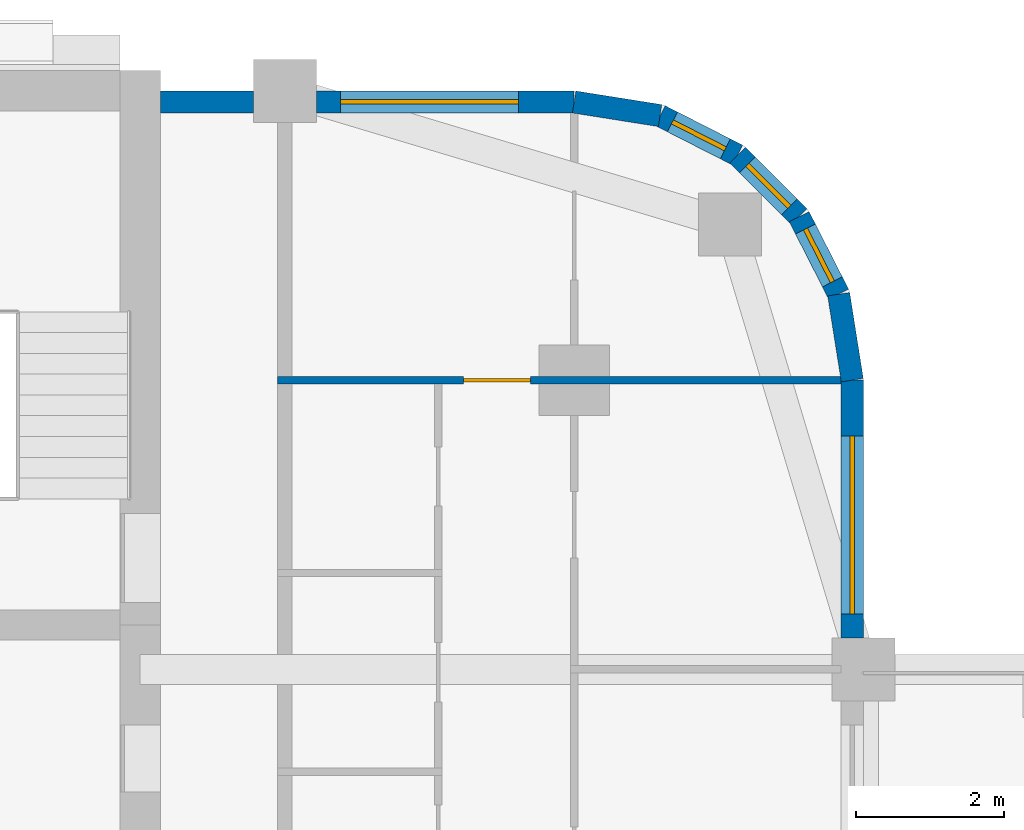
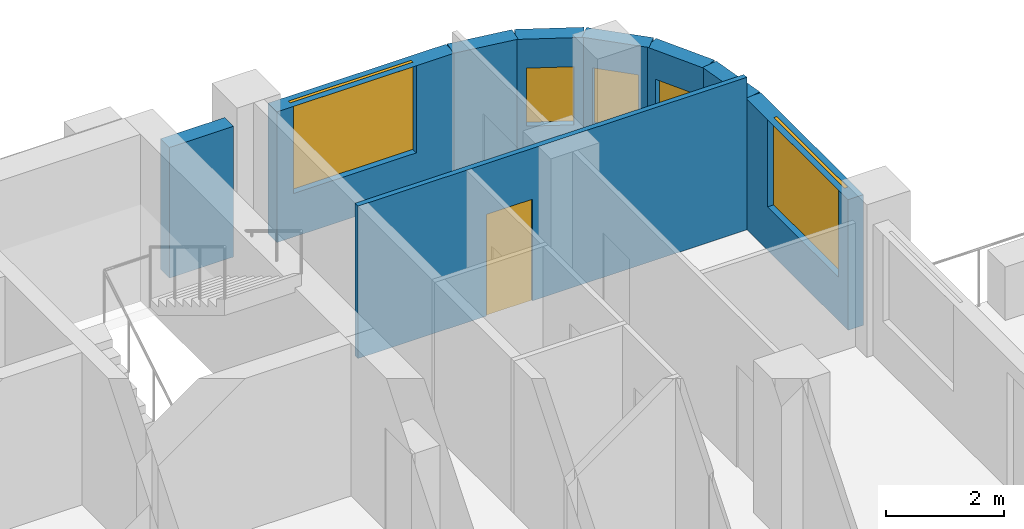
# One storey, part 9 of 13: 9 walls, 5 windows, 1 door, 6 openings.
"""IFC4 building model written with IfcOpenShell, lengths in metres."""

from ifc_helpers import new_model, si_unit, direction, frame, frame_2d, origin, place, context, subcontext, project, spatial, rectangle, extrude, material, layer, layer_set, type_object, element, fill, save


model = new_model("IFC4")

# Units and contexts
model_context = context("Model", 3, precision=1e-05, world=origin(), true_north=direction((0.0, 1.0)))
body_context = subcontext(model_context, "Body", "Model", "MODEL_VIEW")
ifc_project = project(units=[si_unit("LENGTHUNIT", "METRE"), si_unit("AREAUNIT", "SQUARE_METRE"), si_unit("VOLUMEUNIT", "CUBIC_METRE"), si_unit("PLANEANGLEUNIT", "RADIAN"), si_unit("MASSUNIT", "GRAM", prefix="KILO")], contexts=[model_context])

# Site, building, storey
site_placement = place(None, origin())
site = spatial("IfcSite", under=ifc_project, at=site_placement, CompositionType="ELEMENT")
building_placement = place(site_placement, origin())
building = spatial("IfcBuilding", under=site, at=building_placement, Name="Ludao Terraces", CompositionType="ELEMENT")
storey_placement = place(building_placement, frame((0.0, 0.0, 123.699951171875)))
storey = spatial("IfcBuildingStorey", under=building, at=storey_placement, Name="L33", CompositionType="ELEMENT", Elevation=123.699951171875)

# Wall, opening, window
ifc_material_1 = material(Name="Granite cladding", Category="masonry")
ifc_layer_1 = layer(ifc_material_1, 0.0400390625, Category="stone")
ifc_material_2 = material(Name="Mineral wool")
ifc_layer_2 = layer(ifc_material_2, 0.06005859375)
ifc_material_3 = material(Name="Concrete C40", Category="concrete")
ifc_layer_3 = layer(ifc_material_3, 0.199951171875, Category="concrete")
ifc_layer_set_1 = layer_set([ifc_layer_1, ifc_layer_2, ifc_layer_3], Name="ENV Stone-clad wall 300")
wall_type_1 = type_object("IfcWallType", Name="ENV Stone-clad wall 300", PredefinedType="SOLIDWALL", material=ifc_layer_set_1)
wall_1_placement = place(storey_placement, frame((104.35009765625, 77.125, 0.0), z_axis=(0.0, 0.0, 1.0), x_axis=(0.0, 1.0, 0.0)))
wall_1 = element("IfcWall", 1, at=wall_1_placement, inside=storey, type_object=wall_type_1, Name="EW-L33-E5", PredefinedType="SOLIDWALL", context=body_context, shape_type="SweptSolid", body=[
    extrude(rectangle(XDim=3.47509765625, YDim=0.300048828125, at=frame_2d((1.737548828125, 0.0))), origin(), (0.0, 0.0, 1.0), 2.699951171875),
])
opening_1_placement = place(wall_1_placement, frame((0.324951171875, 0.0, 0.89990234375)))
opening_1 = element("IfcOpeningElement", 2, at=opening_1_placement, cuts=wall_1, Name="Opening W1", PredefinedType="OPENING", context=body_context, shape_type="SweptSolid", body=[
    extrude(rectangle(XDim=2.39990234375, YDim=1.800048828125, at=frame_2d((1.199951171875, 0.89990234375))), frame((0.0, 0.16015625, 0.0), z_axis=(0.0, -1.0, 0.0), x_axis=(1.0, 0.0, 0.0)), (0.0, 0.0, 1.0), 0.320068359375),
])
ifc_material_4 = material(Name="Clear glass in aluminium frame", Category="aluminium")
ifc_layer_4 = layer(ifc_material_4, 0.06005859375)
ifc_layer_set_2 = layer_set([ifc_layer_4], Name="ENV Window W1 2400x1800")
window_type_1 = type_object("IfcWindowType", Name="ENV Window W1 2400x1800", PartitioningType="DOUBLE_PANEL_VERTICAL", PredefinedType="WINDOW", material=ifc_layer_set_2)
window_1_placement = place(opening_1_placement, origin())
window_1 = element("IfcWindow", 3, at=window_1_placement, inside=storey, type_object=window_type_1, Name="W-L33-E5-1", OverallHeight=1.800048828125, OverallWidth=2.39990234375, PartitioningType="DOUBLE_PANEL_VERTICAL", PredefinedType="WINDOW", context=body_context, shape_type="SweptSolid", body=[
    extrude(rectangle(XDim=2.39990234375, YDim=1.800048828125, at=frame_2d((1.199951171875, 0.89990234375))), frame((0.0, 0.030029296875, 0.0), z_axis=(0.0, -1.0, 0.0), x_axis=(1.0, 0.0, 0.0)), (0.0, 0.0, 1.0), 0.06005859375),
])
fill(opening_1, window_1)

# Wall
wall_2_placement = place(storey_placement, frame((95.02490234375, 84.35009765625, 0.0), z_axis=(0.0, 0.0, 1.0), x_axis=(1.0, 0.0, 0.0)))
element("IfcWall", 4, at=wall_2_placement, inside=storey, type_object=wall_type_1, Name="EW-L33-N3", PredefinedType="SOLIDWALL", context=body_context, shape_type="SweptSolid", body=[
    extrude(rectangle(XDim=1.25, YDim=0.300048828125, at=frame_2d((0.625, 0.0))), origin(), (0.0, 0.0, 1.0), 2.699951171875),
])

# Wall, opening, window
wall_3_placement = place(storey_placement, frame((97.125, 84.35009765625, 0.0), z_axis=(0.0, 0.0, 1.0), x_axis=(1.0, 0.0, 0.0)))
wall_3 = element("IfcWall", 5, at=wall_3_placement, inside=storey, type_object=wall_type_1, Name="EW-L33-N4", PredefinedType="SOLIDWALL", context=body_context, shape_type="SweptSolid", body=[
    extrude(rectangle(XDim=3.47509765625, YDim=0.300048828125, at=frame_2d((1.737548828125, 0.0))), origin(), (0.0, 0.0, 1.0), 2.699951171875),
])
opening_2_placement = place(wall_3_placement, frame((0.324951171875, 0.0, 0.89990234375)))
opening_2 = element("IfcOpeningElement", 6, at=opening_2_placement, cuts=wall_3, Name="Opening W1", PredefinedType="OPENING", context=body_context, shape_type="SweptSolid", body=[
    extrude(rectangle(XDim=2.39990234375, YDim=1.800048828125, at=frame_2d((1.199951171875, 0.89990234375))), frame((0.0, 0.16015625, 0.0), z_axis=(0.0, -1.0, 0.0), x_axis=(1.0, 0.0, 0.0)), (0.0, 0.0, 1.0), 0.320068359375),
])
window_2_placement = place(opening_2_placement, origin())
window_2 = element("IfcWindow", 7, at=window_2_placement, inside=storey, type_object=window_type_1, Name="W-L33-N4-1", OverallHeight=1.800048828125, OverallWidth=2.39990234375, PartitioningType="DOUBLE_PANEL_VERTICAL", PredefinedType="WINDOW", context=body_context, shape_type="SweptSolid", body=[
    extrude(rectangle(XDim=2.39990234375, YDim=1.800048828125, at=frame_2d((1.199951171875, 0.89990234375))), frame((0.0, 0.030029296875, 0.0), z_axis=(0.0, -1.0, 0.0), x_axis=(1.0, 0.0, 0.0)), (0.0, 0.0, 1.0), 0.06005859375),
])
fill(opening_2, window_2)

# Wall
wall_4_placement = place(storey_placement, frame((104.35009765625, 80.60009765625, 0.0), z_axis=(0.0, 0.0, 1.0), x_axis=(-0.156496880861, 0.987678452879, 0.0)))
element("IfcWall", 8, at=wall_4_placement, inside=storey, type_object=wall_type_1, Name="EW-L33-NE1", PredefinedType="SOLIDWALL", context=body_context, shape_type="SweptSolid", body=[
    extrude(rectangle(XDim=1.173095703125, YDim=0.300048828125, at=frame_2d((0.58642578125, 0.0))), origin(), (0.0, 0.0, 1.0), 2.699951171875),
])

# Wall, opening, window
wall_5_placement = place(storey_placement, frame((104.16650390625, 81.7587890625, 0.0), z_axis=(0.0, 0.0, 1.0), x_axis=(-0.454025524128, 0.890988677504, 0.0)))
wall_5 = element("IfcWall", 9, at=wall_5_placement, inside=storey, type_object=wall_type_1, Name="EW-L33-NE2", PredefinedType="SOLIDWALL", context=body_context, shape_type="SweptSolid", body=[
    extrude(rectangle(XDim=1.17333984375, YDim=0.300048828125, at=frame_2d((0.586669921875, 0.0))), origin(), (0.0, 0.0, 1.0), 2.699951171875),
])
opening_3_placement = place(wall_5_placement, frame((0.1865234375, 0.0, 0.89990234375)))
opening_3 = element("IfcOpeningElement", 10, at=opening_3_placement, cuts=wall_5, Name="Opening W3", PredefinedType="OPENING", context=body_context, shape_type="SweptSolid", body=[
    extrude(rectangle(XDim=0.800048828125, YDim=1.199951171875, at=frame_2d((0.39990234375, 0.60009765625))), frame((0.0, 0.16015625, 0.0), z_axis=(0.0, -1.0, 0.0), x_axis=(1.0, 0.0, 0.0)), (0.0, 0.0, 1.0), 0.320068359375),
])
ifc_layer_5 = layer(ifc_material_4, 0.06005859375)
ifc_layer_set_3 = layer_set([ifc_layer_5], Name="ENV Window W3 800x1200")
window_type_2 = type_object("IfcWindowType", Name="ENV Window W3 800x1200", PartitioningType="SINGLE_PANEL", PredefinedType="WINDOW", material=ifc_layer_set_3)
window_3_placement = place(opening_3_placement, origin())
window_3 = element("IfcWindow", 11, at=window_3_placement, inside=storey, type_object=window_type_2, Name="W-L33-NE2", OverallHeight=1.199951171875, OverallWidth=0.800048828125, PartitioningType="SINGLE_PANEL", PredefinedType="WINDOW", context=body_context, shape_type="SweptSolid", body=[
    extrude(rectangle(XDim=0.800048828125, YDim=1.199951171875, at=frame_2d((0.39990234375, 0.60009765625))), frame((0.0, 0.030029296875, 0.0), z_axis=(0.0, -1.0, 0.0), x_axis=(1.0, 0.0, 0.0)), (0.0, 0.0, 1.0), 0.06005859375),
])
fill(opening_3, window_3)

wall_6_placement = place(storey_placement, frame((103.6337890625, 82.80419921875, 0.0), z_axis=(0.0, 0.0, 1.0), x_axis=(-0.707106781187, 0.707106781187, 0.0)))
wall_6 = element("IfcWall", 12, at=wall_6_placement, inside=storey, type_object=wall_type_1, Name="EW-L33-NE3", PredefinedType="SOLIDWALL", context=body_context, shape_type="SweptSolid", body=[
    extrude(rectangle(XDim=1.173095703125, YDim=0.300048828125, at=frame_2d((0.58642578125, 0.0))), origin(), (0.0, 0.0, 1.0), 2.699951171875),
])
opening_4_placement = place(wall_6_placement, frame((0.1865234375, 0.0, 0.89990234375)))
opening_4 = element("IfcOpeningElement", 13, at=opening_4_placement, cuts=wall_6, Name="Opening W3", PredefinedType="OPENING", context=body_context, shape_type="SweptSolid", body=[
    extrude(rectangle(XDim=0.800048828125, YDim=1.199951171875, at=frame_2d((0.39990234375, 0.60009765625))), frame((0.0, 0.16015625, 0.0), z_axis=(0.0, -1.0, 0.0), x_axis=(1.0, 0.0, 0.0)), (0.0, 0.0, 1.0), 0.320068359375),
])
window_4_placement = place(opening_4_placement, origin())
window_4 = element("IfcWindow", 14, at=window_4_placement, inside=storey, type_object=window_type_2, Name="W-L33-NE3", OverallHeight=1.199951171875, OverallWidth=0.800048828125, PartitioningType="SINGLE_PANEL", PredefinedType="WINDOW", context=body_context, shape_type="SweptSolid", body=[
    extrude(rectangle(XDim=0.800048828125, YDim=1.199951171875, at=frame_2d((0.39990234375, 0.60009765625))), frame((0.0, 0.030029296875, 0.0), z_axis=(0.0, -1.0, 0.0), x_axis=(1.0, 0.0, 0.0)), (0.0, 0.0, 1.0), 0.06005859375),
])
fill(opening_4, window_4)

wall_7_placement = place(storey_placement, frame((102.80419921875, 83.6337890625, 0.0), z_axis=(0.0, 0.0, 1.0), x_axis=(-0.890988677504, 0.454025524128, 0.0)))
wall_7 = element("IfcWall", 15, at=wall_7_placement, inside=storey, type_object=wall_type_1, Name="EW-L33-NE4", PredefinedType="SOLIDWALL", context=body_context, shape_type="SweptSolid", body=[
    extrude(rectangle(XDim=1.17333984375, YDim=0.300048828125, at=frame_2d((0.586669921875, 0.0))), origin(), (0.0, 0.0, 1.0), 2.699951171875),
])
opening_5_placement = place(wall_7_placement, frame((0.1865234375, 0.0, 0.89990234375)))
opening_5 = element("IfcOpeningElement", 16, at=opening_5_placement, cuts=wall_7, Name="Opening W3", PredefinedType="OPENING", context=body_context, shape_type="SweptSolid", body=[
    extrude(rectangle(XDim=0.800048828125, YDim=1.199951171875, at=frame_2d((0.39990234375, 0.60009765625))), frame((0.0, 0.16015625, 0.0), z_axis=(0.0, -1.0, 0.0), x_axis=(1.0, 0.0, 0.0)), (0.0, 0.0, 1.0), 0.320068359375),
])
window_5_placement = place(opening_5_placement, origin())
window_5 = element("IfcWindow", 17, at=window_5_placement, inside=storey, type_object=window_type_2, Name="W-L33-NE4", OverallHeight=1.199951171875, OverallWidth=0.800048828125, PartitioningType="SINGLE_PANEL", PredefinedType="WINDOW", context=body_context, shape_type="SweptSolid", body=[
    extrude(rectangle(XDim=0.800048828125, YDim=1.199951171875, at=frame_2d((0.39990234375, 0.60009765625))), frame((0.0, 0.030029296875, 0.0), z_axis=(0.0, -1.0, 0.0), x_axis=(1.0, 0.0, 0.0)), (0.0, 0.0, 1.0), 0.06005859375),
])
fill(opening_5, window_5)

# Wall
wall_8_placement = place(storey_placement, frame((101.7587890625, 84.16650390625, 0.0), z_axis=(0.0, 0.0, 1.0), x_axis=(-0.987678452879, 0.156496880861, 0.0)))
element("IfcWall", 18, at=wall_8_placement, inside=storey, type_object=wall_type_1, Name="EW-L33-NE5", PredefinedType="SOLIDWALL", context=body_context, shape_type="SweptSolid", body=[
    extrude(rectangle(XDim=1.173095703125, YDim=0.300048828125, at=frame_2d((0.58642578125, 0.0))), origin(), (0.0, 0.0, 1.0), 2.699951171875),
])

# Wall, opening, door
ifc_material_5 = material(Name="Gypsum plasterboard", Category="gypsum")
ifc_layer_6 = layer(ifc_material_5, 0.012451171875, Category="gypsum")
ifc_layer_7 = layer(ifc_material_2, 0.06005859375, Name="insulation")
ifc_material_6 = material(Name="Steel Q235", Category="steel")
ifc_layer_8 = layer(ifc_material_6, 0.014892578125, Name="stud")
ifc_layer_9 = layer(ifc_material_5, 0.012451171875, Category="gypsum")
ifc_layer_set_4 = layer_set([ifc_layer_6, ifc_layer_7, ifc_layer_8, ifc_layer_9], Name="INT Partition 100")
wall_type_2 = type_object("IfcWallType", Name="INT Partition 100", PredefinedType="PARTITIONING", material=ifc_layer_set_4)
wall_9_placement = place(storey_placement, frame((96.60009765625, 80.60009765625, 0.0), z_axis=(0.0, 0.0, 1.0), x_axis=(1.0, 0.0, 0.0)))
wall_9 = element("IfcWall", 19, at=wall_9_placement, inside=storey, type_object=wall_type_2, Name="PW-L33-PW045", PredefinedType="PARTITIONING", context=body_context, shape_type="SweptSolid", body=[
    extrude(rectangle(XDim=7.60009765625, YDim=0.10009765625, at=frame_2d((3.800048828125, 0.0))), origin(), (0.0, 0.0, 1.0), 3.150146484375),
])
opening_6_placement = place(wall_9_placement, frame((2.510009765625, 0.0, 0.0)))
opening_6 = element("IfcOpeningElement", 20, at=opening_6_placement, cuts=wall_9, Name="Opening R10-090", PredefinedType="OPENING", context=body_context, shape_type="SweptSolid", body=[
    extrude(rectangle(XDim=0.89990234375, YDim=2.10009765625, at=frame_2d((0.449951171875, 1.050048828125))), frame((0.0, 0.06005859375, 0.0), z_axis=(0.0, -1.0, 0.0), x_axis=(1.0, 0.0, 0.0)), (0.0, 0.0, 1.0), 0.1201171875),
])
ifc_material_7 = material(Name="Timber door leaf", Category="wood")
door_type = type_object("IfcDoorType", Name="INT Room door 900", OperationType="SINGLE_SWING_LEFT", PredefinedType="DOOR", material=ifc_material_7)
door_placement = place(opening_6_placement, origin())
door = element("IfcDoor", 21, at=door_placement, inside=storey, type_object=door_type, Name="DOOR 090", OperationType="SINGLE_SWING_RIGHT", OverallHeight=2.10009765625, OverallWidth=0.89990234375, PredefinedType="DOOR", context=body_context, shape_type="SweptSolid", body=[
    extrude(rectangle(XDim=0.89990234375, YDim=2.10009765625, at=frame_2d((0.449951171875, 1.050048828125))), frame((0.0, 0.02490234375, 0.0), z_axis=(0.0, -1.0, 0.0), x_axis=(1.0, 0.0, 0.0)), (0.0, 0.0, 1.0), 0.050048828125),
])
fill(opening_6, door)

save(model, "model.ifc")
